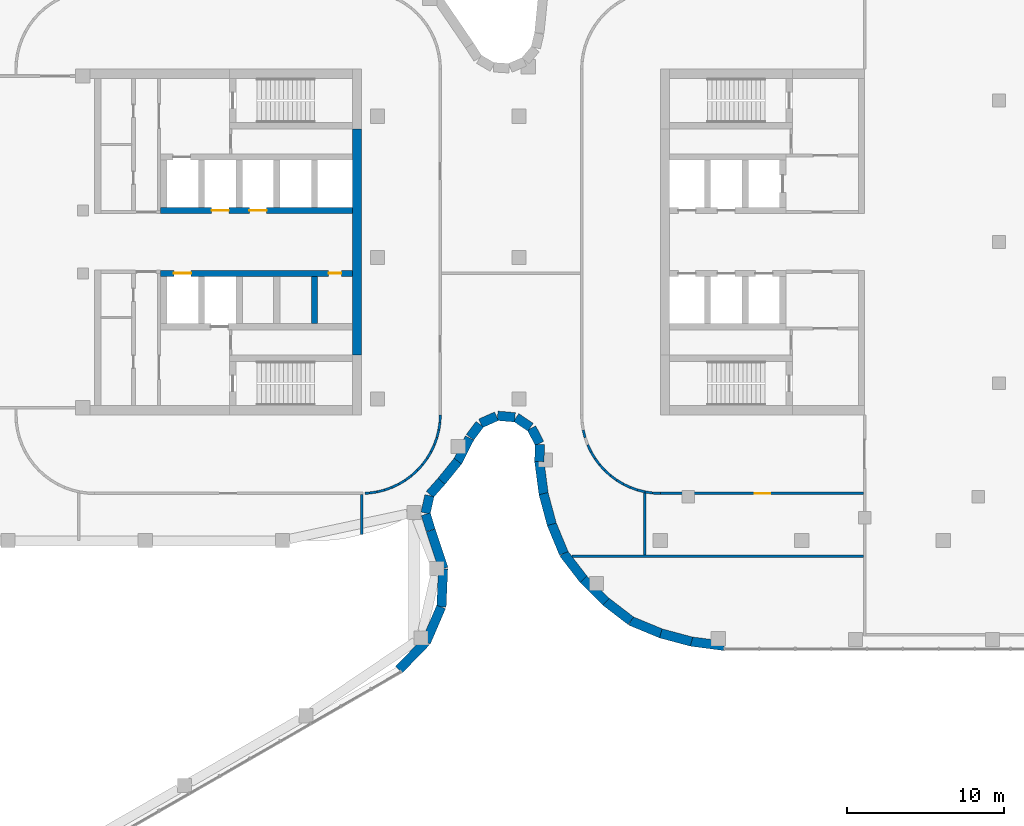
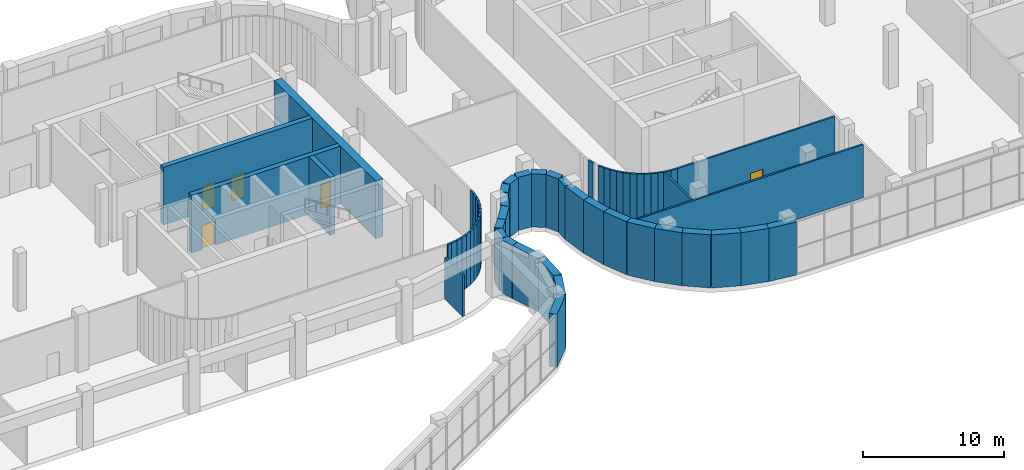
# One storey, part 15 of 25: 61 walls, 5 doors, 5 openings.
"""IFC4 building model written with IfcOpenShell, lengths in metres."""

from ifc_helpers import new_model, si_unit, direction, frame, frame_2d, origin, place, context, subcontext, project, spatial, rectangle, extrude, material, layer, layer_set, type_object, element, fill, save


model = new_model("IFC4")

# Units and contexts
model_context = context("Model", 3, precision=1e-05, world=origin(), true_north=direction((0.0, 1.0)))
body_context = subcontext(model_context, "Body", "Model", "MODEL_VIEW")
ifc_project = project(units=[si_unit("LENGTHUNIT", "METRE"), si_unit("AREAUNIT", "SQUARE_METRE"), si_unit("VOLUMEUNIT", "CUBIC_METRE"), si_unit("PLANEANGLEUNIT", "RADIAN"), si_unit("MASSUNIT", "GRAM", prefix="KILO")], contexts=[model_context])

# Site, building, storey
site_placement = place(None, origin())
site = spatial("IfcSite", under=ifc_project, at=site_placement, CompositionType="ELEMENT")
building_placement = place(site_placement, origin())
building = spatial("IfcBuilding", under=site, at=building_placement, Name="Skarvind Civic Tower", CompositionType="ELEMENT")
storey_placement = place(building_placement, frame((0.0, 0.0, 7.5)))
storey = spatial("IfcBuildingStorey", under=building, at=storey_placement, Name="L01", CompositionType="ELEMENT", Elevation=7.5)

# Wall, openings, doors
ifc_material_1 = material(Name="Concrete C80", Category="concrete")
ifc_layer_1 = layer(ifc_material_1, 0.39990234375)
ifc_layer_set_1 = layer_set([ifc_layer_1], Name="Core wall 400 C80")
wall_type_1 = type_object("IfcWallType", Name="Core wall 400 C80", PredefinedType="SHEAR", material=ifc_layer_set_1)
wall_1_placement = place(storey_placement, frame((107.39990234375, 130.0, 0.0), z_axis=(0.0, 0.0, 1.0), x_axis=(-1.0, 0.0, 0.0)))
wall_1 = element("IfcWall", 1, at=wall_1_placement, inside=storey, type_object=wall_type_1, Name="Core wall C1 south lift row front L01", PredefinedType="SHEAR", context=body_context, shape_type="SweptSolid", body=[
    extrude(rectangle(XDim=12.199951171875, YDim=0.39990234375, at=frame_2d((6.10009765625, 0.0))), origin(), (0.0, 0.0, 1.0), 5.0),
])
opening_1_placement = place(wall_1_placement, frame((5.449951171875, 0.0, 0.0)))
opening_1 = element("IfcOpeningElement", 2, at=opening_1_placement, cuts=wall_1, Name="Opening LD03108", PredefinedType="OPENING", context=body_context, shape_type="SweptSolid", body=[
    extrude(rectangle(XDim=1.10009765625, YDim=2.10009765625, at=frame_2d((0.550048828125, 1.050048828125))), frame((0.0, 0.2099609375, 0.0), z_axis=(0.0, -1.0, 0.0), x_axis=(1.0, 0.0, 0.0)), (0.0, 0.0, 1.0), 0.419921875),
])
opening_2_placement = place(wall_1_placement, frame((7.85009765625, 0.0, 0.0)))
opening_2 = element("IfcOpeningElement", 3, at=opening_2_placement, cuts=wall_1, Name="Opening LD03109", PredefinedType="OPENING", context=body_context, shape_type="SweptSolid", body=[
    extrude(rectangle(XDim=1.10009765625, YDim=2.10009765625, at=frame_2d((0.550048828125, 1.050048828125))), frame((0.0, 0.2099609375, 0.0), z_axis=(0.0, -1.0, 0.0), x_axis=(1.0, 0.0, 0.0)), (0.0, 0.0, 1.0), 0.419921875),
])
ifc_material_2 = material(Name="Stainless steel landing door", Category="steel")
door_type_1 = type_object("IfcDoorType", Name="Lift landing door 1100", OperationType="DOUBLE_DOOR_SLIDING", PredefinedType="DOOR", material=ifc_material_2)
door_1_placement = place(opening_1_placement, origin())
door_1 = element("IfcDoor", 4, at=door_1_placement, inside=storey, type_object=door_type_1, Name="Lift landing door", OperationType="DOUBLE_DOOR_SLIDING", OverallHeight=2.10009765625, OverallWidth=1.10009765625, PredefinedType="DOOR", context=body_context, shape_type="SweptSolid", body=[
    extrude(rectangle(XDim=1.10009765625, YDim=2.10009765625, at=frame_2d((0.550048828125, 1.050048828125))), frame((0.0, 0.02490234375, 0.0), z_axis=(0.0, -1.0, 0.0), x_axis=(1.0, 0.0, 0.0)), (0.0, 0.0, 1.0), 0.050048828125),
])
fill(opening_1, door_1)
door_2_placement = place(opening_2_placement, origin())
door_2 = element("IfcDoor", 5, at=door_2_placement, inside=storey, type_object=door_type_1, Name="Lift landing door", OperationType="DOUBLE_DOOR_SLIDING", OverallHeight=2.10009765625, OverallWidth=1.10009765625, PredefinedType="DOOR", context=body_context, shape_type="SweptSolid", body=[
    extrude(rectangle(XDim=1.10009765625, YDim=2.10009765625, at=frame_2d((0.550048828125, 1.050048828125))), frame((0.0, 0.02490234375, 0.0), z_axis=(0.0, -1.0, 0.0), x_axis=(1.0, 0.0, 0.0)), (0.0, 0.0, 1.0), 0.050048828125),
])
fill(opening_2, door_2)

wall_2_placement = place(storey_placement, frame((107.39990234375, 126.0, 0.0), z_axis=(0.0, 0.0, 1.0), x_axis=(-1.0, 0.0, 0.0)))
wall_2 = element("IfcWall", 6, at=wall_2_placement, inside=storey, type_object=wall_type_1, Name="Core wall C1 north lift row front L01", PredefinedType="SHEAR", context=body_context, shape_type="SweptSolid", body=[
    extrude(rectangle(XDim=12.199951171875, YDim=0.39990234375, at=frame_2d((6.10009765625, 0.0))), origin(), (0.0, 0.0, 1.0), 5.0),
])
opening_3_placement = place(wall_2_placement, frame((10.25, 0.0, 0.0)))
opening_3 = element("IfcOpeningElement", 7, at=opening_3_placement, cuts=wall_2, Name="Opening LD03105", PredefinedType="OPENING", context=body_context, shape_type="SweptSolid", body=[
    extrude(rectangle(XDim=1.10009765625, YDim=2.10009765625, at=frame_2d((0.550048828125, 1.050048828125))), frame((0.0, 0.2099609375, 0.0), z_axis=(0.0, -1.0, 0.0), x_axis=(1.0, 0.0, 0.0)), (0.0, 0.0, 1.0), 0.419921875),
])
opening_4_placement = place(wall_2_placement, frame((0.699951171875, 0.0, 0.0)))
opening_4 = element("IfcOpeningElement", 8, at=opening_4_placement, cuts=wall_2, Name="Opening D-L01-C1-04", PredefinedType="OPENING", context=body_context, shape_type="SweptSolid", body=[
    extrude(rectangle(XDim=0.800048828125, YDim=2.10009765625, at=frame_2d((0.39990234375, 1.050048828125))), frame((0.0, 0.2099609375, 0.0), z_axis=(0.0, -1.0, 0.0), x_axis=(1.0, 0.0, 0.0)), (0.0, 0.0, 1.0), 0.419921875),
])
ifc_material_3 = material(Name="Fire-rated steel door", Category="steel")
door_type_2 = type_object("IfcDoorType", Name="Core riser door 800", OperationType="NOTDEFINED", PredefinedType="DOOR", material=ifc_material_3)
door_3_placement = place(opening_4_placement, origin())
door_3 = element("IfcDoor", 9, at=door_3_placement, inside=storey, type_object=door_type_2, Name="Riser door", OperationType="SINGLE_SWING_LEFT", OverallHeight=2.10009765625, OverallWidth=0.800048828125, PredefinedType="DOOR", context=body_context, shape_type="SweptSolid", body=[
    extrude(rectangle(XDim=0.800048828125, YDim=2.10009765625, at=frame_2d((0.39990234375, 1.050048828125))), frame((0.0, 0.02490234375, 0.0), z_axis=(0.0, -1.0, 0.0), x_axis=(1.0, 0.0, 0.0)), (0.0, 0.0, 1.0), 0.050048828125),
])
fill(opening_4, door_3)
door_4_placement = place(opening_3_placement, origin())
door_4 = element("IfcDoor", 10, at=door_4_placement, inside=storey, type_object=door_type_1, Name="Lift landing door", OperationType="DOUBLE_DOOR_SLIDING", OverallHeight=2.10009765625, OverallWidth=1.10009765625, PredefinedType="DOOR", context=body_context, shape_type="SweptSolid", body=[
    extrude(rectangle(XDim=1.10009765625, YDim=2.10009765625, at=frame_2d((0.550048828125, 1.050048828125))), frame((0.0, 0.02490234375, 0.0), z_axis=(0.0, -1.0, 0.0), x_axis=(1.0, 0.0, 0.0)), (0.0, 0.0, 1.0), 0.050048828125),
])
fill(opening_3, door_4)

# Walls
wall_3_placement = place(storey_placement, frame((105.0, 125.800048828125, 0.0), z_axis=(0.0, 0.0, 1.0), x_axis=(0.0, -1.0, 0.0)))
element("IfcWall", 11, at=wall_3_placement, inside=storey, type_object=wall_type_1, Name="Core wall C1 north lift row division 1 L01", PredefinedType="SHEAR", context=body_context, shape_type="SweptSolid", body=[
    extrude(rectangle(XDim=3.0, YDim=0.39990234375, at=frame_2d((1.5, 0.0))), origin(), (0.0, 0.0, 1.0), 5.0),
])
ifc_layer_2 = layer(ifc_material_1, 0.60009765625)
ifc_layer_set_2 = layer_set([ifc_layer_2], Name="Core wall 600 C80")
wall_type_2 = type_object("IfcWallType", Name="Core wall 600 C80", PredefinedType="SHEAR", material=ifc_layer_set_2)
wall_4_placement = place(storey_placement, frame((107.699951171875, 135.199951171875, 0.0), z_axis=(0.0, 0.0, 1.0), x_axis=(0.0, -1.0, 0.0)))
element("IfcWall", 12, at=wall_4_placement, inside=storey, type_object=wall_type_2, Name="Core wall C1 tip between the stairs L01", PredefinedType="SHEAR", context=body_context, shape_type="SweptSolid", body=[
    extrude(rectangle(XDim=14.39990234375, YDim=0.60009765625, at=frame_2d((7.199951171875, 0.0))), origin(), (0.0, 0.0, 1.0), 5.0),
])
ifc_material_4 = material(Name="Plasterboard partition on steel studs", Category="steel")
ifc_layer_3 = layer(ifc_material_4, 0.14990234375)
ifc_layer_set_3 = layer_set([ifc_layer_3], Name="PARTITION 150")
wall_type_3 = type_object("IfcWallType", Name="PARTITION 150", PredefinedType="PARTITIONING", material=ifc_layer_set_3)
wall_5_placement = place(storey_placement, frame((108.0, 109.387939453125, 0.0), z_axis=(0.0, 0.0, 1.0), x_axis=(0.0, 1.0, 0.0)))
element("IfcWall", 13, at=wall_5_placement, inside=storey, type_object=wall_type_3, Name="Podium partition L01 163", PredefinedType="PARTITIONING", context=body_context, shape_type="SweptSolid", body=[
    extrude(rectangle(XDim=2.537109375, YDim=0.14990234375, at=frame_2d((1.2685546875, 0.0))), origin(), (0.0, 0.0, 1.0), 3.60009765625),
])
wall_6_placement = place(storey_placement, frame((108.214111328125, 112.010009765625, 0.0), z_axis=(0.0, 0.0, 1.0), x_axis=(0.99876534507, 0.049676810357, 0.0)))
element("IfcWall", 14, at=wall_6_placement, inside=storey, type_object=wall_type_3, Name="Podium partition L01 164", PredefinedType="PARTITIONING", context=body_context, shape_type="SweptSolid", body=[
    extrude(rectangle(XDim=0.280029296875, YDim=0.14990234375, at=frame_2d((0.14013671875, 0.0))), origin(), (0.0, 0.0, 1.0), 4.60009765625),
])
wall_7_placement = place(storey_placement, frame((108.486083984375, 112.02294921875, 0.0), z_axis=(0.0, 0.0, 1.0), x_axis=(0.988925572052, 0.148412307247, 0.0)))
element("IfcWall", 15, at=wall_7_placement, inside=storey, type_object=wall_type_3, Name="Podium partition L01 167", PredefinedType="PARTITIONING", context=body_context, shape_type="SweptSolid", body=[
    extrude(rectangle(XDim=0.49853515625, YDim=0.14990234375, at=frame_2d((0.249267578125, 0.0))), origin(), (0.0, 0.0, 1.0), 4.60009765625),
])
wall_8_placement = place(storey_placement, frame((108.970947265625, 112.094970703125, 0.0), z_axis=(0.0, 0.0, 1.0), x_axis=(0.970113715952, 0.242650732785, 0.0)))
element("IfcWall", 16, at=wall_8_placement, inside=storey, type_object=wall_type_3, Name="Podium partition L01 169", PredefinedType="PARTITIONING", context=body_context, shape_type="SweptSolid", body=[
    extrude(rectangle(XDim=0.4990234375, YDim=0.14990234375, at=frame_2d((0.24951171875, 0.0))), origin(), (0.0, 0.0, 1.0), 4.60009765625),
])
for number, where, z_axis, x_axis, name in (
    (17, (109.447021484375, 112.214111328125, 0.0), (0.0, 0.0, 1.0), (0.941442168887, 0.3371744988, 0.0), "Podium partition L01 171"),
    (18, (109.909912109375, 112.37890625, 0.0), (0.0, 0.0, 1.0), (0.903827641978, 0.427896709028, 0.0), "Podium partition L01 173"),
):
    element("IfcWall", number, at=place(storey_placement, frame(where, z_axis=z_axis, x_axis=x_axis)), inside=storey, type_object=wall_type_3, Name=name, PredefinedType="PARTITIONING", context=body_context, shape_type="SweptSolid", body=[
        extrude(rectangle(XDim=0.498046875, YDim=0.14990234375, at=frame_2d((0.2490234375, 0.0))), origin(), (0.0, 0.0, 1.0), 4.60009765625),
    ])
wall_9_placement = place(storey_placement, frame((110.35400390625, 112.587890625, 0.0), z_axis=(0.0, 0.0, 1.0), x_axis=(0.85671397893, 0.515791778052, 0.0)))
element("IfcWall", 19, at=wall_9_placement, inside=storey, type_object=wall_type_3, Name="Podium partition L01 175", PredefinedType="PARTITIONING", context=body_context, shape_type="SweptSolid", body=[
    extrude(rectangle(XDim=0.49853515625, YDim=0.14990234375, at=frame_2d((0.249267578125, 0.0))), origin(), (0.0, 0.0, 1.0), 4.60009765625),
])
wall_10_placement = place(storey_placement, frame((110.77490234375, 112.841064453125, 0.0), z_axis=(0.0, 0.0, 1.0), x_axis=(0.80404358372, 0.594570362092, 0.0)))
element("IfcWall", 20, at=wall_10_placement, inside=storey, type_object=wall_type_3, Name="Podium partition L01 177", PredefinedType="PARTITIONING", context=body_context, shape_type="SweptSolid", body=[
    extrude(rectangle(XDim=0.49755859375, YDim=0.14990234375, at=frame_2d((0.248779296875, 0.0))), origin(), (0.0, 0.0, 1.0), 4.60009765625),
])
for number, where, z_axis, x_axis, name in (
    (21, (111.1689453125, 113.133056640625, 0.0), (0.0, 0.0, 1.0), (0.742416880587, 0.66993818776, 0.0), "Podium partition L01 179"),
    (22, (111.532958984375, 113.4609375, 0.0), (0.0, 0.0, 1.0), (0.66993818776, 0.742416880587, 0.0), "Podium partition L01 181"),
):
    element("IfcWall", number, at=place(storey_placement, frame(where, z_axis=z_axis, x_axis=x_axis)), inside=storey, type_object=wall_type_3, Name=name, PredefinedType="PARTITIONING", context=body_context, shape_type="SweptSolid", body=[
        extrude(rectangle(XDim=0.49853515625, YDim=0.14990234375, at=frame_2d((0.249267578125, 0.0))), origin(), (0.0, 0.0, 1.0), 4.60009765625),
    ])
wall_11_placement = place(storey_placement, frame((111.863037109375, 113.824951171875, 0.0), z_axis=(0.0, 0.0, 1.0), x_axis=(0.594570362092, 0.80404358372, 0.0)))
element("IfcWall", 23, at=wall_11_placement, inside=storey, type_object=wall_type_3, Name="Podium partition L01 183", PredefinedType="PARTITIONING", context=body_context, shape_type="SweptSolid", body=[
    extrude(rectangle(XDim=0.49755859375, YDim=0.14990234375, at=frame_2d((0.248779296875, 0.0))), origin(), (0.0, 0.0, 1.0), 4.60009765625),
])
wall_12_placement = place(storey_placement, frame((112.155029296875, 114.218994140625, 0.0), z_axis=(0.0, 0.0, 1.0), x_axis=(0.515791778052, 0.85671397893, 0.0)))
element("IfcWall", 24, at=wall_12_placement, inside=storey, type_object=wall_type_3, Name="Podium partition L01 185", PredefinedType="PARTITIONING", context=body_context, shape_type="SweptSolid", body=[
    extrude(rectangle(XDim=0.49853515625, YDim=0.14990234375, at=frame_2d((0.249267578125, 0.0))), origin(), (0.0, 0.0, 1.0), 4.60009765625),
])
for number, where, z_axis, x_axis, name in (
    (25, (112.407958984375, 114.639892578125, 0.0), (0.0, 0.0, 1.0), (0.427896709028, 0.903827641978, 0.0), "Podium partition L01 187"),
    (26, (112.617919921875, 115.083984375, 0.0), (0.0, 0.0, 1.0), (0.3371744988, 0.941442168887, 0.0), "Podium partition L01 189"),
):
    element("IfcWall", number, at=place(storey_placement, frame(where, z_axis=z_axis, x_axis=x_axis)), inside=storey, type_object=wall_type_3, Name=name, PredefinedType="PARTITIONING", context=body_context, shape_type="SweptSolid", body=[
        extrude(rectangle(XDim=0.498046875, YDim=0.14990234375, at=frame_2d((0.2490234375, 0.0))), origin(), (0.0, 0.0, 1.0), 4.60009765625),
    ])
wall_13_placement = place(storey_placement, frame((112.783935546875, 115.544921875, 0.0), z_axis=(0.0, 0.0, 1.0), x_axis=(0.242650732785, 0.970113715952, 0.0)))
element("IfcWall", 27, at=wall_13_placement, inside=storey, type_object=wall_type_3, Name="Podium partition L01 191", PredefinedType="PARTITIONING", context=body_context, shape_type="SweptSolid", body=[
    extrude(rectangle(XDim=0.4990234375, YDim=0.14990234375, at=frame_2d((0.24951171875, 0.0))), origin(), (0.0, 0.0, 1.0), 4.60009765625),
])
wall_14_placement = place(storey_placement, frame((112.903076171875, 116.02099609375, 0.0), z_axis=(0.0, 0.0, 1.0), x_axis=(0.148412307247, 0.988925572052, 0.0)))
element("IfcWall", 28, at=wall_14_placement, inside=storey, type_object=wall_type_3, Name="Podium partition L01 193", PredefinedType="PARTITIONING", context=body_context, shape_type="SweptSolid", body=[
    extrude(rectangle(XDim=0.49853515625, YDim=0.14990234375, at=frame_2d((0.249267578125, 0.0))), origin(), (0.0, 0.0, 1.0), 4.60009765625),
])
wall_15_placement = place(storey_placement, frame((112.97607421875, 116.506103515625, 0.0), z_axis=(0.0, 0.0, 1.0), x_axis=(0.048196018647, 0.998837896651, 0.0)))
element("IfcWall", 29, at=wall_15_placement, inside=storey, type_object=wall_type_3, Name="Podium partition L01 195", PredefinedType="PARTITIONING", context=body_context, shape_type="SweptSolid", body=[
    extrude(rectangle(XDim=0.496337890625, YDim=0.14990234375, at=frame_2d((0.248046875, 0.0))), origin(), (0.0, 0.0, 1.0), 4.60009765625),
])
wall_16_placement = place(storey_placement, frame((121.367919921875, 108.0, 0.0), z_axis=(0.0, 0.0, 1.0), x_axis=(1.0, 0.0, 0.0)))
element("IfcWall", 30, at=wall_16_placement, inside=storey, type_object=wall_type_3, Name="Podium partition L01 200", PredefinedType="PARTITIONING", context=body_context, shape_type="SweptSolid", body=[
    extrude(rectangle(XDim=18.55712890625, YDim=0.14990234375, at=frame_2d((9.278564453125, 0.0))), origin(), (0.0, 0.0, 1.0), 4.60009765625),
])
wall_17_placement = place(storey_placement, frame((122.094970703125, 116.029052734375, 0.0), z_axis=(0.0, 0.0, 1.0), x_axis=(0.242650732785, -0.970113715952, 0.0)))
element("IfcWall", 31, at=wall_17_placement, inside=storey, type_object=wall_type_3, Name="Podium partition L01 206", PredefinedType="PARTITIONING", context=body_context, shape_type="SweptSolid", body=[
    extrude(rectangle(XDim=0.4990234375, YDim=0.14990234375, at=frame_2d((0.24951171875, 0.0))), origin(), (0.0, 0.0, 1.0), 4.60009765625),
])
wall_18_placement = place(storey_placement, frame((122.37890625, 115.090087890625, 0.0), z_axis=(0.0, 0.0, 1.0), x_axis=(0.427896709028, -0.903827641978, 0.0)))
element("IfcWall", 32, at=wall_18_placement, inside=storey, type_object=wall_type_3, Name="Podium partition L01 210", PredefinedType="PARTITIONING", context=body_context, shape_type="SweptSolid", body=[
    extrude(rectangle(XDim=0.498046875, YDim=0.14990234375, at=frame_2d((0.2490234375, 0.0))), origin(), (0.0, 0.0, 1.0), 4.60009765625),
])
wall_19_placement = place(storey_placement, frame((122.587890625, 114.64599609375, 0.0), z_axis=(0.0, 0.0, 1.0), x_axis=(0.515791778052, -0.85671397893, 0.0)))
element("IfcWall", 33, at=wall_19_placement, inside=storey, type_object=wall_type_3, Name="Podium partition L01 212", PredefinedType="PARTITIONING", context=body_context, shape_type="SweptSolid", body=[
    extrude(rectangle(XDim=0.49853515625, YDim=0.14990234375, at=frame_2d((0.249267578125, 0.0))), origin(), (0.0, 0.0, 1.0), 4.60009765625),
])
wall_20_placement = place(storey_placement, frame((122.841064453125, 114.22509765625, 0.0), z_axis=(0.0, 0.0, 1.0), x_axis=(0.594570362092, -0.80404358372, 0.0)))
element("IfcWall", 34, at=wall_20_placement, inside=storey, type_object=wall_type_3, Name="Podium partition L01 214", PredefinedType="PARTITIONING", context=body_context, shape_type="SweptSolid", body=[
    extrude(rectangle(XDim=0.49755859375, YDim=0.14990234375, at=frame_2d((0.248779296875, 0.0))), origin(), (0.0, 0.0, 1.0), 4.60009765625),
])
for number, where, z_axis, x_axis, name in (
    (35, (123.133056640625, 113.8310546875, 0.0), (0.0, 0.0, 1.0), (0.66993818776, -0.742416880587, 0.0), "Podium partition L01 216"),
    (36, (123.4609375, 113.467041015625, 0.0), (0.0, 0.0, 1.0), (0.742416880587, -0.66993818776, 0.0), "Podium partition L01 218"),
):
    element("IfcWall", number, at=place(storey_placement, frame(where, z_axis=z_axis, x_axis=x_axis)), inside=storey, type_object=wall_type_3, Name=name, PredefinedType="PARTITIONING", context=body_context, shape_type="SweptSolid", body=[
        extrude(rectangle(XDim=0.49853515625, YDim=0.14990234375, at=frame_2d((0.249267578125, 0.0))), origin(), (0.0, 0.0, 1.0), 4.60009765625),
    ])
wall_21_placement = place(storey_placement, frame((123.824951171875, 113.136962890625, 0.0), z_axis=(0.0, 0.0, 1.0), x_axis=(0.80404358372, -0.594570362092, 0.0)))
element("IfcWall", 37, at=wall_21_placement, inside=storey, type_object=wall_type_3, Name="Podium partition L01 220", PredefinedType="PARTITIONING", context=body_context, shape_type="SweptSolid", body=[
    extrude(rectangle(XDim=0.49755859375, YDim=0.14990234375, at=frame_2d((0.248779296875, 0.0))), origin(), (0.0, 0.0, 1.0), 4.60009765625),
])
wall_22_placement = place(storey_placement, frame((124.218994140625, 112.844970703125, 0.0), z_axis=(0.0, 0.0, 1.0), x_axis=(0.85671397893, -0.515791778052, 0.0)))
element("IfcWall", 38, at=wall_22_placement, inside=storey, type_object=wall_type_3, Name="Podium partition L01 222", PredefinedType="PARTITIONING", context=body_context, shape_type="SweptSolid", body=[
    extrude(rectangle(XDim=0.49853515625, YDim=0.14990234375, at=frame_2d((0.249267578125, 0.0))), origin(), (0.0, 0.0, 1.0), 4.60009765625),
])
for number, where, z_axis, x_axis, name in (
    (39, (124.639892578125, 112.592041015625, 0.0), (0.0, 0.0, 1.0), (0.903827641978, -0.427896709028, 0.0), "Podium partition L01 224"),
    (40, (125.083984375, 112.382080078125, 0.0), (0.0, 0.0, 1.0), (0.941442168887, -0.3371744988, 0.0), "Podium partition L01 226"),
):
    element("IfcWall", number, at=place(storey_placement, frame(where, z_axis=z_axis, x_axis=x_axis)), inside=storey, type_object=wall_type_3, Name=name, PredefinedType="PARTITIONING", context=body_context, shape_type="SweptSolid", body=[
        extrude(rectangle(XDim=0.498046875, YDim=0.14990234375, at=frame_2d((0.2490234375, 0.0))), origin(), (0.0, 0.0, 1.0), 4.60009765625),
    ])
wall_23_placement = place(storey_placement, frame((125.544921875, 112.216064453125, 0.0), z_axis=(0.0, 0.0, 1.0), x_axis=(0.970116111764, -0.242641154168, 0.0)))
element("IfcWall", 41, at=wall_23_placement, inside=storey, type_object=wall_type_3, Name="Podium partition L01 228", PredefinedType="PARTITIONING", context=body_context, shape_type="SweptSolid", body=[
    extrude(rectangle(XDim=0.54443359375, YDim=0.14990234375, at=frame_2d((0.272216796875, 0.0))), origin(), (0.0, 0.0, 1.0), 4.60009765625),
])
wall_24_placement = place(storey_placement, frame((126.0, 108.074951171875, 0.0), z_axis=(0.0, 0.0, 1.0), x_axis=(0.0, 1.0, 0.0)))
element("IfcWall", 42, at=wall_24_placement, inside=storey, type_object=wall_type_3, Name="Podium partition L01 230", PredefinedType="PARTITIONING", context=body_context, shape_type="SweptSolid", body=[
    extrude(rectangle(XDim=3.949951171875, YDim=0.14990234375, at=frame_2d((1.97509765625, 0.0))), origin(), (0.0, 0.0, 1.0), 4.60009765625),
])
wall_25_placement = place(storey_placement, frame((126.02490234375, 112.095947265625, 0.0), z_axis=(0.0, 0.0, 1.0), x_axis=(0.989041138834, -0.147640189971, 0.0)))
element("IfcWall", 43, at=wall_25_placement, inside=storey, type_object=wall_type_3, Name="Podium partition L01 232", PredefinedType="PARTITIONING", context=body_context, shape_type="SweptSolid", body=[
    extrude(rectangle(XDim=0.494384765625, YDim=0.14990234375, at=frame_2d((0.2470703125, 0.0))), origin(), (0.0, 0.0, 1.0), 4.60009765625),
])
wall_26_placement = place(storey_placement, frame((126.506103515625, 112.02392578125, 0.0), z_axis=(0.0, 0.0, 1.0), x_axis=(0.998837896651, -0.048196018647, 0.0)))
element("IfcWall", 44, at=wall_26_placement, inside=storey, type_object=wall_type_3, Name="Podium partition L01 233", PredefinedType="PARTITIONING", context=body_context, shape_type="SweptSolid", body=[
    extrude(rectangle(XDim=0.496337890625, YDim=0.14990234375, at=frame_2d((0.248046875, 0.0))), origin(), (0.0, 0.0, 1.0), 4.60009765625),
])

# Wall, opening, door
wall_27_placement = place(storey_placement, frame((139.925048828125, 112.0, 0.0), z_axis=(0.0, 0.0, 1.0), x_axis=(-1.0, 0.0, 0.0)))
wall_27 = element("IfcWall", 45, at=wall_27_placement, inside=storey, type_object=wall_type_3, Name="Podium partition L01 234", PredefinedType="PARTITIONING", context=body_context, shape_type="SweptSolid", body=[
    extrude(rectangle(XDim=12.927001953125, YDim=0.14990234375, at=frame_2d((6.46337890625, 0.0))), origin(), (0.0, 0.0, 1.0), 4.60009765625),
])
opening_5_placement = place(wall_27_placement, frame((5.925048828125, 0.0, 0.0)))
opening_5 = element("IfcOpeningElement", 46, at=opening_5_placement, cuts=wall_27, Name="Opening L01-D228", PredefinedType="OPENING", context=body_context, shape_type="SweptSolid", body=[
    extrude(rectangle(XDim=1.0, YDim=2.10009765625, at=frame_2d((0.5, 1.050048828125))), frame((0.0, 0.0849609375, 0.0), z_axis=(0.0, -1.0, 0.0), x_axis=(1.0, 0.0, 0.0)), (0.0, 0.0, 1.0), 0.169921875),
])
ifc_material_5 = material(Name="Timber veneer door leaf", Category="wood")
door_type_3 = type_object("IfcDoorType", Name="DOOR 1000X2100 TIMBER", OperationType="NOTDEFINED", PredefinedType="DOOR", material=ifc_material_5)
door_5_placement = place(opening_5_placement, origin())
door_5 = element("IfcDoor", 47, at=door_5_placement, inside=storey, type_object=door_type_3, Name="DOOR DOOR", OperationType="SINGLE_SWING_RIGHT", OverallHeight=2.10009765625, OverallWidth=1.0, PredefinedType="DOOR", context=body_context, shape_type="SweptSolid", body=[
    extrude(rectangle(XDim=1.0, YDim=2.10009765625, at=frame_2d((0.5, 1.050048828125))), frame((0.0, 0.02490234375, 0.0), z_axis=(0.0, -1.0, 0.0), x_axis=(1.0, 0.0, 0.0)), (0.0, 0.0, 1.0), 0.050048828125),
])
fill(opening_5, door_5)

# Walls
ifc_material_6 = material(Name="Limestone masonry cladding on insulated backing", Category="masonry")
ifc_layer_4 = layer(ifc_material_6, 0.60009765625)
ifc_layer_set_4 = layer_set([ifc_layer_4], Name="WX1 STONE FACADE WALL 600")
wall_type_4 = type_object("IfcWallType", Name="WX1 STONE FACADE WALL 600", PredefinedType="SOLIDWALL", material=ifc_layer_set_4)
for number, where, z_axis, x_axis, name in (
    (48, (112.06640625, 102.53564453125, 0.0), (0.0, 0.0, 1.0), (-0.695943864418, -0.718096189643, 0.0), "STONE FACADE WALL"),
    (49, (113.05126953125, 104.76904296875, 0.0), (0.0, 0.0, 1.0), (-0.394862771196, -0.918740111198, 0.0), "STONE FACADE WALL"),
    (50, (113.1767578125, 107.206787109375, 0.0), (0.0, 0.0, 1.0), (-0.042001630397, -0.999117542156, 0.0), "STONE FACADE WALL"),
):
    element("IfcWall", number, at=place(storey_placement, frame(where, z_axis=z_axis, x_axis=x_axis)), inside=storey, type_object=wall_type_4, Name=name, PredefinedType="SOLIDWALL", context=body_context, shape_type="SweptSolid", body=[
        extrude(rectangle(XDim=2.435546875, YDim=0.60009765625, at=frame_2d((1.2177734375, 0.0))), origin(), (0.0, 0.0, 1.0), 4.60009765625),
    ])
wall_28_placement = place(storey_placement, frame((112.388427734375, 109.643310546875, 0.0), z_axis=(0.0, 0.0, 1.0), x_axis=(0.31642839289, -0.948616398853, 0.0)))
element("IfcWall", 51, at=wall_28_placement, inside=storey, type_object=wall_type_4, Name="STONE FACADE WALL", PredefinedType="SOLIDWALL", context=body_context, shape_type="SweptSolid", body=[
    extrude(rectangle(XDim=2.555419921875, YDim=0.60009765625, at=frame_2d((1.27783203125, 0.0))), origin(), (0.0, 0.0, 1.0), 4.60009765625),
])
wall_29_placement = place(storey_placement, frame((112.080810546875, 110.67578125, 0.0), z_axis=(0.0, 0.0, 1.0), x_axis=(0.285396142495, -0.958409641985, 0.0)))
element("IfcWall", 52, at=wall_29_placement, inside=storey, type_object=wall_type_4, Name="STONE FACADE WALL", PredefinedType="SOLIDWALL", context=body_context, shape_type="SweptSolid", body=[
    extrude(rectangle(XDim=1.067626953125, YDim=0.60009765625, at=frame_2d((0.53369140625, 0.0))), origin(), (0.0, 0.0, 1.0), 4.60009765625),
])
wall_30_placement = place(storey_placement, frame((112.309814453125, 111.859130859375, 0.0), z_axis=(0.0, 0.0, 1.0), x_axis=(-0.216998636299, -0.976171906912, 0.0)))
element("IfcWall", 53, at=wall_30_placement, inside=storey, type_object=wall_type_4, Name="STONE FACADE WALL", PredefinedType="SOLIDWALL", context=body_context, shape_type="SweptSolid", body=[
    extrude(rectangle(XDim=1.137451171875, YDim=0.60009765625, at=frame_2d((0.56884765625, 0.0))), origin(), (0.0, 0.0, 1.0), 4.60009765625),
])
wall_31_placement = place(storey_placement, frame((113.0791015625, 112.77392578125, 0.0), z_axis=(0.0, 0.0, 1.0), x_axis=(-0.664538540083, -0.747253992123, 0.0)))
element("IfcWall", 54, at=wall_31_placement, inside=storey, type_object=wall_type_4, Name="STONE FACADE WALL", PredefinedType="SOLIDWALL", context=body_context, shape_type="SweptSolid", body=[
    extrude(rectangle(XDim=1.12744140625, YDim=0.60009765625, at=frame_2d((0.563720703125, 0.0))), origin(), (0.0, 0.0, 1.0), 4.60009765625),
])
wall_32_placement = place(storey_placement, frame((114.114501953125, 114.05078125, 0.0), z_axis=(0.0, 0.0, 1.0), x_axis=(-0.630015715698, -0.77658238325, 0.0)))
element("IfcWall", 55, at=wall_32_placement, inside=storey, type_object=wall_type_4, Name="STONE FACADE WALL", PredefinedType="SOLIDWALL", context=body_context, shape_type="SweptSolid", body=[
    extrude(rectangle(XDim=1.657470703125, YDim=0.60009765625, at=frame_2d((0.82861328125, 0.0))), origin(), (0.0, 0.0, 1.0), 4.60009765625),
])
wall_33_placement = place(storey_placement, frame((114.865478515625, 115.524658203125, 0.0), z_axis=(0.0, 0.0, 1.0), x_axis=(-0.454203210797, -0.890898110505, 0.0)))
element("IfcWall", 56, at=wall_33_placement, inside=storey, type_object=wall_type_4, Name="STONE FACADE WALL", PredefinedType="SOLIDWALL", context=body_context, shape_type="SweptSolid", body=[
    extrude(rectangle(XDim=1.687255859375, YDim=0.60009765625, at=frame_2d((0.84375, 0.0))), origin(), (0.0, 0.0, 1.0), 4.60009765625),
])
wall_34_placement = place(storey_placement, frame((115.5166015625, 116.39990234375, 0.0), z_axis=(0.0, 0.0, 1.0), x_axis=(-0.60018790921, -0.799859033604, 0.0)))
element("IfcWall", 57, at=wall_34_placement, inside=storey, type_object=wall_type_4, Name="STONE FACADE WALL", PredefinedType="SOLIDWALL", context=body_context, shape_type="SweptSolid", body=[
    extrude(rectangle(XDim=1.039306640625, YDim=0.60009765625, at=frame_2d((0.51953125, 0.0))), origin(), (0.0, 0.0, 1.0), 4.60009765625),
])
for number, where, z_axis, x_axis, name in (
    (58, (116.5771484375, 116.91015625, 0.0), (0.0, 0.0, 1.0), (-0.912911040257, -0.408158587533, 0.0), "STONE FACADE WALL"),
    (59, (117.751953125, 116.841552734375, 0.0), (0.0, 0.0, 1.0), (-0.996273540208, 0.086249829453, 0.0), "STONE FACADE WALL"),
):
    element("IfcWall", number, at=place(storey_placement, frame(where, z_axis=z_axis, x_axis=x_axis)), inside=storey, type_object=wall_type_4, Name=name, PredefinedType="SOLIDWALL", context=body_context, shape_type="SweptSolid", body=[
        extrude(rectangle(XDim=1.109619140625, YDim=0.60009765625, at=frame_2d((0.5546875, 0.0))), origin(), (0.0, 0.0, 1.0), 4.60009765625),
    ])
for number, where, z_axis, x_axis, name in (
    (60, (118.74560546875, 116.211181640625, 0.0), (0.0, 0.0, 1.0), (-0.829195474535, 0.558958732834, 0.0), "STONE FACADE WALL"),
    (61, (119.308837890625, 115.177978515625, 0.0), (0.0, 0.0, 1.0), (-0.453803794189, 0.891101630781, 0.0), "STONE FACADE WALL"),
):
    element("IfcWall", number, at=place(storey_placement, frame(where, z_axis=z_axis, x_axis=x_axis)), inside=storey, type_object=wall_type_4, Name=name, PredefinedType="SOLIDWALL", context=body_context, shape_type="SweptSolid", body=[
        extrude(rectangle(XDim=1.109375, YDim=0.60009765625, at=frame_2d((0.5546875, 0.0))), origin(), (0.0, 0.0, 1.0), 4.60009765625),
    ])
wall_35_placement = place(storey_placement, frame((119.30029296875, 114.02099609375, 0.0), z_axis=(0.0, 0.0, 1.0), x_axis=(0.035627591166, 0.999365135848, 0.0)))
element("IfcWall", 62, at=wall_35_placement, inside=storey, type_object=wall_type_4, Name="STONE FACADE WALL", PredefinedType="SOLIDWALL", context=body_context, shape_type="SweptSolid", body=[
    extrude(rectangle(XDim=1.089599609375, YDim=0.60009765625, at=frame_2d((0.544921875, 0.0))), origin(), (0.0, 0.0, 1.0), 4.60009765625),
])
wall_36_placement = place(storey_placement, frame((119.57568359375, 111.947509765625, 0.0), z_axis=(0.0, 0.0, 1.0), x_axis=(-0.130558200013, 0.991440646942, 0.0)))
element("IfcWall", 63, at=wall_36_placement, inside=storey, type_object=wall_type_4, Name="STONE FACADE WALL", PredefinedType="SOLIDWALL", context=body_context, shape_type="SweptSolid", body=[
    extrude(rectangle(XDim=2.1318359375, YDim=0.60009765625, at=frame_2d((1.06591796875, 0.0))), origin(), (0.0, 0.0, 1.0), 4.60009765625),
])
wall_37_placement = place(storey_placement, frame((120.091552734375, 110.032470703125, 0.0), z_axis=(0.0, 0.0, 1.0), x_axis=(-0.258804467146, 0.965929732323, 0.0)))
element("IfcWall", 64, at=wall_37_placement, inside=storey, type_object=wall_type_4, Name="STONE FACADE WALL", PredefinedType="SOLIDWALL", context=body_context, shape_type="SweptSolid", body=[
    extrude(rectangle(XDim=2.0224609375, YDim=0.60009765625, at=frame_2d((1.01123046875, 0.0))), origin(), (0.0, 0.0, 1.0), 4.60009765625),
])
wall_38_placement = place(storey_placement, frame((120.8603515625, 108.1806640625, 0.0), z_axis=(0.0, 0.0, 1.0), x_axis=(-0.382341242798, 0.924021197839, 0.0)))
element("IfcWall", 65, at=wall_38_placement, inside=storey, type_object=wall_type_4, Name="STONE FACADE WALL", PredefinedType="SOLIDWALL", context=body_context, shape_type="SweptSolid", body=[
    extrude(rectangle(XDim=2.0439453125, YDim=0.60009765625, at=frame_2d((1.02197265625, 0.0))), origin(), (0.0, 0.0, 1.0), 4.60009765625),
])
wall_39_placement = place(storey_placement, frame((122.135498046875, 106.50732421875, 0.0), z_axis=(0.0, 0.0, 1.0), x_axis=(-0.609052002567, 0.79313029079, 0.0)))
element("IfcWall", 66, at=wall_39_placement, inside=storey, type_object=wall_type_4, Name="STONE FACADE WALL", PredefinedType="SOLIDWALL", context=body_context, shape_type="SweptSolid", body=[
    extrude(rectangle(XDim=2.114013671875, YDim=0.60009765625, at=frame_2d((1.05712890625, 0.0))), origin(), (0.0, 0.0, 1.0), 4.60009765625),
])
wall_40_placement = place(storey_placement, frame((123.536865234375, 105.109619140625, 0.0), z_axis=(0.0, 0.0, 1.0), x_axis=(-0.707106781187, 0.707106781187, 0.0)))
element("IfcWall", 67, at=wall_40_placement, inside=storey, type_object=wall_type_4, Name="STONE FACADE WALL", PredefinedType="SOLIDWALL", context=body_context, shape_type="SweptSolid", body=[
    extrude(rectangle(XDim=2.018310546875, YDim=0.60009765625, at=frame_2d((1.00927734375, 0.0))), origin(), (0.0, 0.0, 1.0), 4.60009765625),
])
wall_41_placement = place(storey_placement, frame((125.12841796875, 103.890625, 0.0), z_axis=(0.0, 0.0, 1.0), x_axis=(-0.793125485267, 0.609058260448, 0.0)))
element("IfcWall", 68, at=wall_41_placement, inside=storey, type_object=wall_type_4, Name="STONE FACADE WALL", PredefinedType="SOLIDWALL", context=body_context, shape_type="SweptSolid", body=[
    extrude(rectangle(XDim=2.0439453125, YDim=0.60009765625, at=frame_2d((1.02197265625, 0.0))), origin(), (0.0, 0.0, 1.0), 4.60009765625),
])
wall_42_placement = place(storey_placement, frame((127.0693359375, 103.078857421875, 0.0), z_axis=(0.0, 0.0, 1.0), x_axis=(-0.924006983526, 0.382375593358, 0.0)))
element("IfcWall", 69, at=wall_42_placement, inside=storey, type_object=wall_type_4, Name="STONE FACADE WALL", PredefinedType="SOLIDWALL", context=body_context, shape_type="SweptSolid", body=[
    extrude(rectangle(XDim=2.114013671875, YDim=0.60009765625, at=frame_2d((1.05712890625, 0.0))), origin(), (0.0, 0.0, 1.0), 4.60009765625),
])
wall_43_placement = place(storey_placement, frame((128.986083984375, 102.568115234375, 0.0), z_axis=(0.0, 0.0, 1.0), x_axis=(-0.965929732323, 0.258804467146, 0.0)))
element("IfcWall", 70, at=wall_43_placement, inside=storey, type_object=wall_type_4, Name="STONE FACADE WALL", PredefinedType="SOLIDWALL", context=body_context, shape_type="SweptSolid", body=[
    extrude(rectangle(XDim=2.0224609375, YDim=0.60009765625, at=frame_2d((1.01123046875, 0.0))), origin(), (0.0, 0.0, 1.0), 4.60009765625),
])
wall_44_placement = place(storey_placement, frame((131.06103515625, 102.29736328125, 0.0), z_axis=(0.0, 0.0, 1.0), x_axis=(-0.991440646942, 0.130558200013, 0.0)))
element("IfcWall", 71, at=wall_44_placement, inside=storey, type_object=wall_type_4, Name="STONE FACADE WALL", PredefinedType="SOLIDWALL", context=body_context, shape_type="SweptSolid", body=[
    extrude(rectangle(XDim=2.1318359375, YDim=0.60009765625, at=frame_2d((1.06591796875, 0.0))), origin(), (0.0, 0.0, 1.0), 4.60009765625),
])

save(model, "model.ifc")
